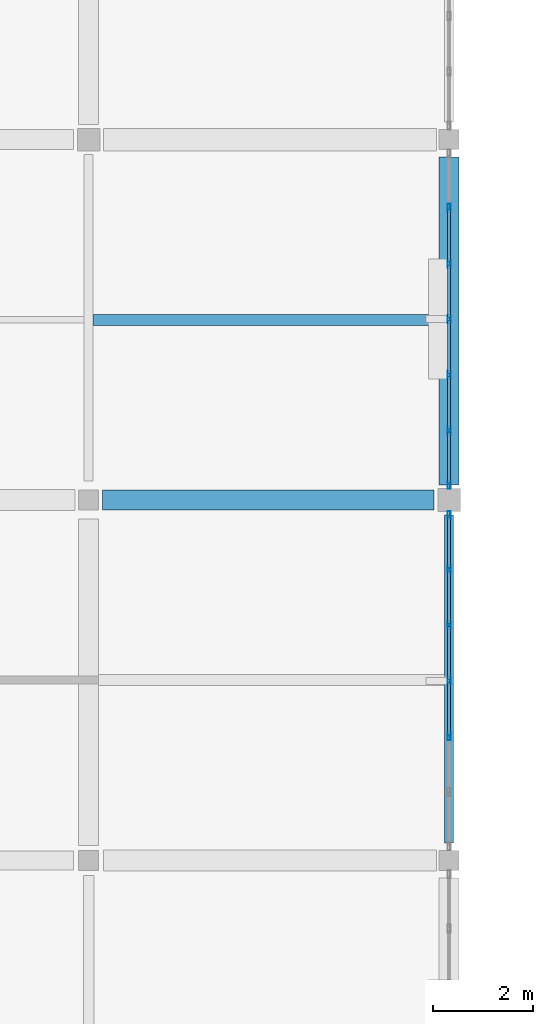
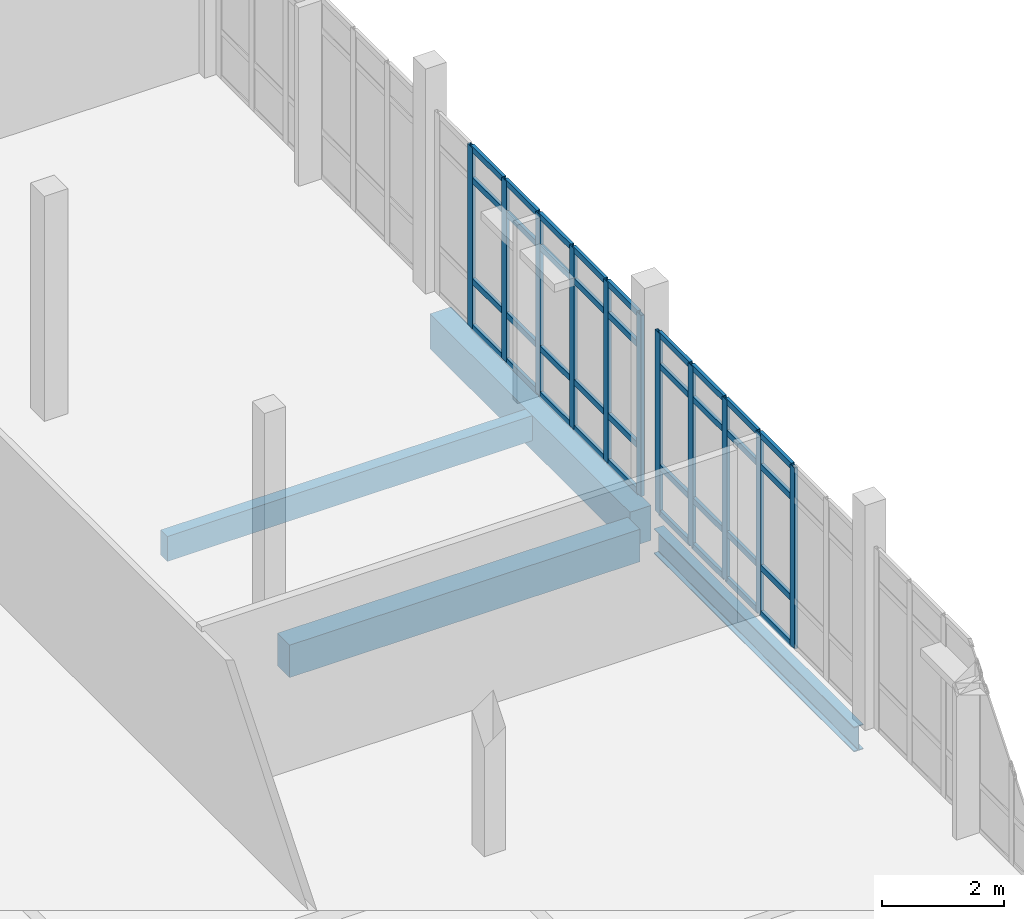
# One storey, part 11 of 62: 47 members, 4 beams, 2 elements without a shape of their own.
"""IFC4 building model written with IfcOpenShell, lengths in metres."""

from ifc_helpers import new_model, si_unit, direction, frame, origin, origin_2d, place, context, subcontext, project, spatial, rectangle, hollow_rectangle, i_section, extrude, material, material_profile, profile_set, type_object, element, aggregate, save


model = new_model("IFC4")

# Units and contexts
model_context = context("Model", 3, precision=1e-05, world=origin(), true_north=direction((0.0, 1.0)))
body_context = subcontext(model_context, "Body", "Model", "MODEL_VIEW")
ifc_project = project(units=[si_unit("LENGTHUNIT", "METRE"), si_unit("AREAUNIT", "SQUARE_METRE"), si_unit("VOLUMEUNIT", "CUBIC_METRE"), si_unit("PLANEANGLEUNIT", "RADIAN"), si_unit("MASSUNIT", "GRAM", prefix="KILO")], contexts=[model_context])

# Site, building, storey
site_placement = place(None, origin())
site = spatial("IfcSite", under=ifc_project, at=site_placement, CompositionType="ELEMENT")
building_placement = place(site_placement, origin())
building = spatial("IfcBuilding", under=site, at=building_placement, Name="Kalluvel Institute of Natural Sciences", CompositionType="ELEMENT")
storey_placement = place(building_placement, frame((0.0, 0.0, 27.89990234375)))
storey = spatial("IfcBuildingStorey", under=building, at=storey_placement, Name="L06", CompositionType="ELEMENT", Elevation=27.89990234375)

# Beams
ifc_material_1 = material(Name="Steel E350 Grade 350", Category="steel")
ifc_material_profile_1 = material_profile(ifc_material_1, i_section(OverallWidth=0.179931640625, OverallDepth=0.5, WebThickness=0.01025390625, FlangeThickness=0.01708984375, FilletRadius=0.01708984375, at=origin_2d()), Name="ISMB 500")
ifc_profile_set_1 = profile_set([ifc_material_profile_1], Name="Steel E350 Grade 350")
beam_type_1 = type_object("IfcBeamType", Name="BM-ISMB500", PredefinedType="BEAM", material=ifc_profile_set_1)
beam_1_placement = place(storey_placement, frame((35.60009765625, 43.14990234375, -0.5498046875), z_axis=(0.0, 1.0, 0.0), x_axis=(-1.0, 0.0, 0.0)))
element("IfcBeam", 1, at=beam_1_placement, inside=storey, type_object=beam_type_1, Name="L06 girder GIR-L06-NS-X356-Y428", PredefinedType="BEAM", context=body_context, shape_type="SweptSolid", body=[
    extrude(i_section(OverallWidth=0.179931640625, OverallDepth=0.5, WebThickness=0.01025390625, FlangeThickness=0.01708984375, FilletRadius=0.01708984375, at=origin_2d()), origin(), (0.0, 0.0, 1.0), 6.550048828125),
])
ifc_material_2 = material(Name="Concrete M40", Category="concrete")
ifc_material_profile_2 = material_profile(ifc_material_2, rectangle(XDim=0.39990234375, YDim=0.64990234375, at=origin_2d()), Name="RCB 400x650")
ifc_profile_set_2 = profile_set([ifc_material_profile_2], Name="Concrete M40")
beam_type_2 = type_object("IfcBeamType", Name="BM-RC400x650", PredefinedType="BEAM", material=ifc_profile_set_2)
beam_2_placement = place(storey_placement, frame((28.675048828125, 50.0, -0.625), z_axis=(1.0, 0.0, 0.0), x_axis=(0.0, 1.0, 0.0)))
element("IfcBeam", 2, at=beam_2_placement, inside=storey, type_object=beam_type_2, Name="L06 girder GIR-L06-EW-X284-Y500", PredefinedType="BEAM", context=body_context, shape_type="SweptSolid", body=[
    extrude(rectangle(XDim=0.39990234375, YDim=0.64990234375, at=origin_2d()), origin(), (0.0, 0.0, 1.0), 6.625),
])
ifc_material_profile_3 = material_profile(ifc_material_2, rectangle(XDim=0.39990234375, YDim=0.699951171875, at=origin_2d()), Name="RCB 400x700")
ifc_profile_set_3 = profile_set([ifc_material_profile_3], Name="Concrete M40")
beam_type_3 = type_object("IfcBeamType", Name="BM-RC400x700", PredefinedType="BEAM", material=ifc_profile_set_3)
beam_3_placement = place(storey_placement, frame((35.60009765625, 50.300048828125, -0.64990234375), z_axis=(0.0, 1.0, 0.0), x_axis=(-1.0, 0.0, 0.0)))
element("IfcBeam", 3, at=beam_3_placement, inside=storey, type_object=beam_type_3, Name="L06 girder GIR-L06-NS-X356-Y500", PredefinedType="BEAM", context=body_context, shape_type="SweptSolid", body=[
    extrude(rectangle(XDim=0.39990234375, YDim=0.699951171875, at=origin_2d()), origin(), (0.0, 0.0, 1.0), 6.550048828125),
])

# Curtain wall, members
ifc_material_3 = material(Name="Aluminium AW-6063 T6", Category="aluminium")
curtain_wall_type = type_object("IfcCurtainWallType", Name="CW-DRY-45", PredefinedType="USERDEFINED", material=ifc_material_3)
curtain_wall_1_placement = place(storey_placement, origin())
curtain_wall_1 = element("IfcCurtainWall", 4, at=curtain_wall_1_placement, inside=storey, type_object=curtain_wall_type, Name="L06 Gothic lancet curtain wall CWA-L06-X356-Y430", ObjectType="UNITISED LANCET FACADE", PredefinedType="USERDEFINED")
ifc_material_profile_4 = material_profile(ifc_material_3, hollow_rectangle(XDim=0.06005859375, YDim=0.159912109375, WallThickness=0.00390625, at=origin_2d()), Name="CWM 60x160")
ifc_profile_set_4 = profile_set([ifc_material_profile_4], Name="Aluminium AW-6063 T6")
member_type_1 = type_object("IfcMemberType", Name="CWM-60x160", PredefinedType="MULLION", material=ifc_profile_set_4)
member_1_placement = place(storey_placement, frame((35.60009765625, 45.27490234375, 0.0), z_axis=(0.0, 0.0, 1.0), x_axis=(-1.0, 0.0, 0.0)))
member_1 = element("IfcMember", 5, at=member_1_placement, type_object=member_type_1, Name="CW-03 mullion 3", PredefinedType="MULLION", context=body_context, shape_type="SweptSolid", body=[
    extrude(hollow_rectangle(XDim=0.06005859375, YDim=0.159912109375, WallThickness=0.00390625, at=origin_2d()), origin(), (0.0, 0.0, 1.0), 3.6201171875),
])
member_2_placement = place(storey_placement, frame((35.60009765625, 46.387451171875, 0.0), z_axis=(0.0, 0.0, 1.0), x_axis=(-1.0, 0.0, 0.0)))
member_2 = element("IfcMember", 6, at=member_2_placement, type_object=member_type_1, Name="CW-03 mullion 4", PredefinedType="MULLION", context=body_context, shape_type="SweptSolid", body=[
    extrude(hollow_rectangle(XDim=0.06005859375, YDim=0.159912109375, WallThickness=0.00390625, at=origin_2d()), origin(), (0.0, 0.0, 1.0), 3.6201171875),
])
member_3_placement = place(storey_placement, frame((35.60009765625, 47.5, 0.0), z_axis=(0.0, 0.0, 1.0), x_axis=(-1.0, 0.0, 0.0)))
member_3 = element("IfcMember", 7, at=member_3_placement, type_object=member_type_1, Name="CW-03 mullion 5", PredefinedType="MULLION", context=body_context, shape_type="SweptSolid", body=[
    extrude(hollow_rectangle(XDim=0.06005859375, YDim=0.159912109375, WallThickness=0.00390625, at=origin_2d()), origin(), (0.0, 0.0, 1.0), 3.6201171875),
])
member_4_placement = place(storey_placement, frame((35.60009765625, 48.612548828125, 0.0), z_axis=(0.0, 0.0, 1.0), x_axis=(-1.0, 0.0, 0.0)))
member_4 = element("IfcMember", 8, at=member_4_placement, type_object=member_type_1, Name="CW-03 mullion 6", PredefinedType="MULLION", context=body_context, shape_type="SweptSolid", body=[
    extrude(hollow_rectangle(XDim=0.06005859375, YDim=0.159912109375, WallThickness=0.00390625, at=origin_2d()), origin(), (0.0, 0.0, 1.0), 3.6201171875),
])
member_5_placement = place(storey_placement, frame((35.60009765625, 49.695068359375, 0.0), z_axis=(0.0, 0.0, 1.0), x_axis=(-1.0, 0.0, 0.0)))
member_5 = element("IfcMember", 9, at=member_5_placement, type_object=member_type_1, Name="CW-03 mullion 7", PredefinedType="MULLION", context=body_context, shape_type="SweptSolid", body=[
    extrude(hollow_rectangle(XDim=0.06005859375, YDim=0.159912109375, WallThickness=0.00390625, at=origin_2d()), origin(), (0.0, 0.0, 1.0), 3.6201171875),
])

curtain_wall_2_placement = place(storey_placement, origin())
curtain_wall_2 = element("IfcCurtainWall", 10, at=curtain_wall_2_placement, inside=storey, type_object=curtain_wall_type, Name="L06 Gothic lancet curtain wall CWA-L06-X356-Y503", ObjectType="UNITISED LANCET FACADE", PredefinedType="USERDEFINED")
member_6_placement = place(storey_placement, frame((35.60009765625, 50.304931640625, 0.0), z_axis=(0.0, 0.0, 1.0), x_axis=(-1.0, 0.0, 0.0)))
member_6 = element("IfcMember", 11, at=member_6_placement, type_object=member_type_1, Name="CW-03 mullion 1", PredefinedType="MULLION", context=body_context, shape_type="SweptSolid", body=[
    extrude(hollow_rectangle(XDim=0.06005859375, YDim=0.159912109375, WallThickness=0.00390625, at=origin_2d()), origin(), (0.0, 0.0, 1.0), 3.6201171875),
])
member_7_placement = place(storey_placement, frame((35.60009765625, 51.387451171875, 0.0), z_axis=(0.0, 0.0, 1.0), x_axis=(-1.0, 0.0, 0.0)))
member_7 = element("IfcMember", 12, at=member_7_placement, type_object=member_type_1, Name="CW-03 mullion 2", PredefinedType="MULLION", context=body_context, shape_type="SweptSolid", body=[
    extrude(hollow_rectangle(XDim=0.06005859375, YDim=0.159912109375, WallThickness=0.00390625, at=origin_2d()), origin(), (0.0, 0.0, 1.0), 3.6201171875),
])
member_8_placement = place(storey_placement, frame((35.60009765625, 52.5, 0.0), z_axis=(0.0, 0.0, 1.0), x_axis=(-1.0, 0.0, 0.0)))
member_8 = element("IfcMember", 13, at=member_8_placement, type_object=member_type_1, Name="CW-03 mullion 3", PredefinedType="MULLION", context=body_context, shape_type="SweptSolid", body=[
    extrude(hollow_rectangle(XDim=0.06005859375, YDim=0.159912109375, WallThickness=0.00390625, at=origin_2d()), origin(), (0.0, 0.0, 1.0), 3.6201171875),
])
member_9_placement = place(storey_placement, frame((35.60009765625, 53.612548828125, 0.0), z_axis=(0.0, 0.0, 1.0), x_axis=(-1.0, 0.0, 0.0)))
member_9 = element("IfcMember", 14, at=member_9_placement, type_object=member_type_1, Name="CW-03 mullion 4", PredefinedType="MULLION", context=body_context, shape_type="SweptSolid", body=[
    extrude(hollow_rectangle(XDim=0.06005859375, YDim=0.159912109375, WallThickness=0.00390625, at=origin_2d()), origin(), (0.0, 0.0, 1.0), 3.6201171875),
])
member_10_placement = place(storey_placement, frame((35.60009765625, 54.72509765625, 0.0), z_axis=(0.0, 0.0, 1.0), x_axis=(-1.0, 0.0, 0.0)))
member_10 = element("IfcMember", 15, at=member_10_placement, type_object=member_type_1, Name="CW-03 mullion 5", PredefinedType="MULLION", context=body_context, shape_type="SweptSolid", body=[
    extrude(hollow_rectangle(XDim=0.06005859375, YDim=0.159912109375, WallThickness=0.00390625, at=origin_2d()), origin(), (0.0, 0.0, 1.0), 3.6201171875),
])
member_11_placement = place(storey_placement, frame((35.60009765625, 55.83740234375, 0.0), z_axis=(0.0, 0.0, 1.0), x_axis=(-1.0, 0.0, 0.0)))
member_11 = element("IfcMember", 16, at=member_11_placement, type_object=member_type_1, Name="CW-03 mullion 6", PredefinedType="MULLION", context=body_context, shape_type="SweptSolid", body=[
    extrude(hollow_rectangle(XDim=0.06005859375, YDim=0.159912109375, WallThickness=0.00390625, at=origin_2d()), origin(), (0.0, 0.0, 1.0), 3.6201171875),
])

# Member
ifc_material_profile_5 = material_profile(ifc_material_3, hollow_rectangle(XDim=0.06005859375, YDim=0.1201171875, WallThickness=0.00390625, at=origin_2d()), Name="CWT 60x120")
ifc_profile_set_5 = profile_set([ifc_material_profile_5], Name="Aluminium AW-6063 T6")
member_type_2 = type_object("IfcMemberType", Name="CWT-60x120", PredefinedType="USERDEFINED", material=ifc_profile_set_5)
member_12_placement = place(storey_placement, frame((35.60009765625, 45.304931640625, 0.030029296875), z_axis=(0.0, 1.0, 0.0), x_axis=(-1.0, 0.0, 0.0)))
member_12 = element("IfcMember", 17, at=member_12_placement, type_object=member_type_2, Name="CW-03 transom 3.1", ObjectType="TRANSOM", PredefinedType="USERDEFINED", context=body_context, shape_type="SweptSolid", body=[
    extrude(hollow_rectangle(XDim=0.06005859375, YDim=0.1201171875, WallThickness=0.00390625, at=origin_2d()), origin(), (0.0, 0.0, 1.0), 1.052490234375),
])

member_13_placement = place(storey_placement, frame((35.60009765625, 45.304931640625, 0.9501953125), z_axis=(0.0, 1.0, 0.0), x_axis=(-1.0, 0.0, 0.0)))
member_13 = element("IfcMember", 18, at=member_13_placement, type_object=member_type_2, Name="CW-03 transom 3.2", ObjectType="TRANSOM", PredefinedType="USERDEFINED", context=body_context, shape_type="SweptSolid", body=[
    extrude(hollow_rectangle(XDim=0.06005859375, YDim=0.1201171875, WallThickness=0.00390625, at=origin_2d()), origin(), (0.0, 0.0, 1.0), 1.052490234375),
])

member_14_placement = place(storey_placement, frame((35.60009765625, 45.304931640625, 2.97021484375), z_axis=(0.0, 1.0, 0.0), x_axis=(-1.0, 0.0, 0.0)))
member_14 = element("IfcMember", 19, at=member_14_placement, type_object=member_type_2, Name="CW-03 transom 3.3", ObjectType="TRANSOM", PredefinedType="USERDEFINED", context=body_context, shape_type="SweptSolid", body=[
    extrude(hollow_rectangle(XDim=0.06005859375, YDim=0.1201171875, WallThickness=0.00390625, at=origin_2d()), origin(), (0.0, 0.0, 1.0), 1.052490234375),
])

member_15_placement = place(storey_placement, frame((35.60009765625, 45.304931640625, 3.590087890625), z_axis=(0.0, 1.0, 0.0), x_axis=(-1.0, 0.0, 0.0)))
member_15 = element("IfcMember", 20, at=member_15_placement, type_object=member_type_2, Name="CW-03 transom 3.4", ObjectType="TRANSOM", PredefinedType="USERDEFINED", context=body_context, shape_type="SweptSolid", body=[
    extrude(hollow_rectangle(XDim=0.06005859375, YDim=0.1201171875, WallThickness=0.00390625, at=origin_2d()), origin(), (0.0, 0.0, 1.0), 1.052490234375),
])

member_16_placement = place(storey_placement, frame((35.60009765625, 46.41748046875, 0.030029296875), z_axis=(0.0, 1.0, 0.0), x_axis=(-1.0, 0.0, 0.0)))
member_16 = element("IfcMember", 21, at=member_16_placement, type_object=member_type_2, Name="CW-03 transom 4.1", ObjectType="TRANSOM", PredefinedType="USERDEFINED", context=body_context, shape_type="SweptSolid", body=[
    extrude(hollow_rectangle(XDim=0.06005859375, YDim=0.1201171875, WallThickness=0.00390625, at=origin_2d()), origin(), (0.0, 0.0, 1.0), 1.052490234375),
])

member_17_placement = place(storey_placement, frame((35.60009765625, 46.41748046875, 0.9501953125), z_axis=(0.0, 1.0, 0.0), x_axis=(-1.0, 0.0, 0.0)))
member_17 = element("IfcMember", 22, at=member_17_placement, type_object=member_type_2, Name="CW-03 transom 4.2", ObjectType="TRANSOM", PredefinedType="USERDEFINED", context=body_context, shape_type="SweptSolid", body=[
    extrude(hollow_rectangle(XDim=0.06005859375, YDim=0.1201171875, WallThickness=0.00390625, at=origin_2d()), origin(), (0.0, 0.0, 1.0), 1.052490234375),
])

member_18_placement = place(storey_placement, frame((35.60009765625, 46.41748046875, 2.97021484375), z_axis=(0.0, 1.0, 0.0), x_axis=(-1.0, 0.0, 0.0)))
member_18 = element("IfcMember", 23, at=member_18_placement, type_object=member_type_2, Name="CW-03 transom 4.3", ObjectType="TRANSOM", PredefinedType="USERDEFINED", context=body_context, shape_type="SweptSolid", body=[
    extrude(hollow_rectangle(XDim=0.06005859375, YDim=0.1201171875, WallThickness=0.00390625, at=origin_2d()), origin(), (0.0, 0.0, 1.0), 1.052490234375),
])

member_19_placement = place(storey_placement, frame((35.60009765625, 46.41748046875, 3.590087890625), z_axis=(0.0, 1.0, 0.0), x_axis=(-1.0, 0.0, 0.0)))
member_19 = element("IfcMember", 24, at=member_19_placement, type_object=member_type_2, Name="CW-03 transom 4.4", ObjectType="TRANSOM", PredefinedType="USERDEFINED", context=body_context, shape_type="SweptSolid", body=[
    extrude(hollow_rectangle(XDim=0.06005859375, YDim=0.1201171875, WallThickness=0.00390625, at=origin_2d()), origin(), (0.0, 0.0, 1.0), 1.052490234375),
])

member_20_placement = place(storey_placement, frame((35.60009765625, 47.530029296875, 0.030029296875), z_axis=(0.0, 1.0, 0.0), x_axis=(-1.0, 0.0, 0.0)))
member_20 = element("IfcMember", 25, at=member_20_placement, type_object=member_type_2, Name="CW-03 transom 5.1", ObjectType="TRANSOM", PredefinedType="USERDEFINED", context=body_context, shape_type="SweptSolid", body=[
    extrude(hollow_rectangle(XDim=0.06005859375, YDim=0.1201171875, WallThickness=0.00390625, at=origin_2d()), origin(), (0.0, 0.0, 1.0), 1.052490234375),
])

member_21_placement = place(storey_placement, frame((35.60009765625, 47.530029296875, 0.9501953125), z_axis=(0.0, 1.0, 0.0), x_axis=(-1.0, 0.0, 0.0)))
member_21 = element("IfcMember", 26, at=member_21_placement, type_object=member_type_2, Name="CW-03 transom 5.2", ObjectType="TRANSOM", PredefinedType="USERDEFINED", context=body_context, shape_type="SweptSolid", body=[
    extrude(hollow_rectangle(XDim=0.06005859375, YDim=0.1201171875, WallThickness=0.00390625, at=origin_2d()), origin(), (0.0, 0.0, 1.0), 1.052490234375),
])

member_22_placement = place(storey_placement, frame((35.60009765625, 47.530029296875, 2.97021484375), z_axis=(0.0, 1.0, 0.0), x_axis=(-1.0, 0.0, 0.0)))
member_22 = element("IfcMember", 27, at=member_22_placement, type_object=member_type_2, Name="CW-03 transom 5.3", ObjectType="TRANSOM", PredefinedType="USERDEFINED", context=body_context, shape_type="SweptSolid", body=[
    extrude(hollow_rectangle(XDim=0.06005859375, YDim=0.1201171875, WallThickness=0.00390625, at=origin_2d()), origin(), (0.0, 0.0, 1.0), 1.052490234375),
])

member_23_placement = place(storey_placement, frame((35.60009765625, 47.530029296875, 3.590087890625), z_axis=(0.0, 1.0, 0.0), x_axis=(-1.0, 0.0, 0.0)))
member_23 = element("IfcMember", 28, at=member_23_placement, type_object=member_type_2, Name="CW-03 transom 5.4", ObjectType="TRANSOM", PredefinedType="USERDEFINED", context=body_context, shape_type="SweptSolid", body=[
    extrude(hollow_rectangle(XDim=0.06005859375, YDim=0.1201171875, WallThickness=0.00390625, at=origin_2d()), origin(), (0.0, 0.0, 1.0), 1.052490234375),
])

member_24_placement = place(storey_placement, frame((35.60009765625, 48.642578125, 0.030029296875), z_axis=(0.0, 1.0, 0.0), x_axis=(-1.0, 0.0, 0.0)))
member_24 = element("IfcMember", 29, at=member_24_placement, type_object=member_type_2, Name="CW-03 transom 6.1", ObjectType="TRANSOM", PredefinedType="USERDEFINED", context=body_context, shape_type="SweptSolid", body=[
    extrude(hollow_rectangle(XDim=0.06005859375, YDim=0.1201171875, WallThickness=0.00390625, at=origin_2d()), origin(), (0.0, 0.0, 1.0), 1.0224609375),
])

member_25_placement = place(storey_placement, frame((35.60009765625, 48.642578125, 0.9501953125), z_axis=(0.0, 1.0, 0.0), x_axis=(-1.0, 0.0, 0.0)))
member_25 = element("IfcMember", 30, at=member_25_placement, type_object=member_type_2, Name="CW-03 transom 6.2", ObjectType="TRANSOM", PredefinedType="USERDEFINED", context=body_context, shape_type="SweptSolid", body=[
    extrude(hollow_rectangle(XDim=0.06005859375, YDim=0.1201171875, WallThickness=0.00390625, at=origin_2d()), origin(), (0.0, 0.0, 1.0), 1.0224609375),
])

member_26_placement = place(storey_placement, frame((35.60009765625, 48.642578125, 2.97021484375), z_axis=(0.0, 1.0, 0.0), x_axis=(-1.0, 0.0, 0.0)))
member_26 = element("IfcMember", 31, at=member_26_placement, type_object=member_type_2, Name="CW-03 transom 6.3", ObjectType="TRANSOM", PredefinedType="USERDEFINED", context=body_context, shape_type="SweptSolid", body=[
    extrude(hollow_rectangle(XDim=0.06005859375, YDim=0.1201171875, WallThickness=0.00390625, at=origin_2d()), origin(), (0.0, 0.0, 1.0), 1.0224609375),
])

member_27_placement = place(storey_placement, frame((35.60009765625, 48.642578125, 3.590087890625), z_axis=(0.0, 1.0, 0.0), x_axis=(-1.0, 0.0, 0.0)))
member_27 = element("IfcMember", 32, at=member_27_placement, type_object=member_type_2, Name="CW-03 transom 6.4", ObjectType="TRANSOM", PredefinedType="USERDEFINED", context=body_context, shape_type="SweptSolid", body=[
    extrude(hollow_rectangle(XDim=0.06005859375, YDim=0.1201171875, WallThickness=0.00390625, at=origin_2d()), origin(), (0.0, 0.0, 1.0), 1.0224609375),
])

aggregate(curtain_wall_1, [member_1, member_2, member_3, member_4, member_5, member_12, member_13, member_14, member_15, member_16, member_17, member_18, member_19, member_20, member_21, member_22, member_23, member_24, member_25, member_26, member_27])

member_28_placement = place(storey_placement, frame((35.60009765625, 50.3349609375, 0.030029296875), z_axis=(0.0, 1.0, 0.0), x_axis=(-1.0, 0.0, 0.0)))
member_28 = element("IfcMember", 33, at=member_28_placement, type_object=member_type_2, Name="CW-03 transom 1.1", ObjectType="TRANSOM", PredefinedType="USERDEFINED", context=body_context, shape_type="SweptSolid", body=[
    extrude(hollow_rectangle(XDim=0.06005859375, YDim=0.1201171875, WallThickness=0.00390625, at=origin_2d()), origin(), (0.0, 0.0, 1.0), 1.0224609375),
])

member_29_placement = place(storey_placement, frame((35.60009765625, 50.3349609375, 0.9501953125), z_axis=(0.0, 1.0, 0.0), x_axis=(-1.0, 0.0, 0.0)))
member_29 = element("IfcMember", 34, at=member_29_placement, type_object=member_type_2, Name="CW-03 transom 1.2", ObjectType="TRANSOM", PredefinedType="USERDEFINED", context=body_context, shape_type="SweptSolid", body=[
    extrude(hollow_rectangle(XDim=0.06005859375, YDim=0.1201171875, WallThickness=0.00390625, at=origin_2d()), origin(), (0.0, 0.0, 1.0), 1.0224609375),
])

member_30_placement = place(storey_placement, frame((35.60009765625, 50.3349609375, 2.97021484375), z_axis=(0.0, 1.0, 0.0), x_axis=(-1.0, 0.0, 0.0)))
member_30 = element("IfcMember", 35, at=member_30_placement, type_object=member_type_2, Name="CW-03 transom 1.3", ObjectType="TRANSOM", PredefinedType="USERDEFINED", context=body_context, shape_type="SweptSolid", body=[
    extrude(hollow_rectangle(XDim=0.06005859375, YDim=0.1201171875, WallThickness=0.00390625, at=origin_2d()), origin(), (0.0, 0.0, 1.0), 1.0224609375),
])

member_31_placement = place(storey_placement, frame((35.60009765625, 50.3349609375, 3.590087890625), z_axis=(0.0, 1.0, 0.0), x_axis=(-1.0, 0.0, 0.0)))
member_31 = element("IfcMember", 36, at=member_31_placement, type_object=member_type_2, Name="CW-03 transom 1.4", ObjectType="TRANSOM", PredefinedType="USERDEFINED", context=body_context, shape_type="SweptSolid", body=[
    extrude(hollow_rectangle(XDim=0.06005859375, YDim=0.1201171875, WallThickness=0.00390625, at=origin_2d()), origin(), (0.0, 0.0, 1.0), 1.0224609375),
])

member_32_placement = place(storey_placement, frame((35.60009765625, 51.41748046875, 0.030029296875), z_axis=(0.0, 1.0, 0.0), x_axis=(-1.0, 0.0, 0.0)))
member_32 = element("IfcMember", 37, at=member_32_placement, type_object=member_type_2, Name="CW-03 transom 2.1", ObjectType="TRANSOM", PredefinedType="USERDEFINED", context=body_context, shape_type="SweptSolid", body=[
    extrude(hollow_rectangle(XDim=0.06005859375, YDim=0.1201171875, WallThickness=0.00390625, at=origin_2d()), origin(), (0.0, 0.0, 1.0), 1.052490234375),
])

member_33_placement = place(storey_placement, frame((35.60009765625, 51.41748046875, 0.9501953125), z_axis=(0.0, 1.0, 0.0), x_axis=(-1.0, 0.0, 0.0)))
member_33 = element("IfcMember", 38, at=member_33_placement, type_object=member_type_2, Name="CW-03 transom 2.2", ObjectType="TRANSOM", PredefinedType="USERDEFINED", context=body_context, shape_type="SweptSolid", body=[
    extrude(hollow_rectangle(XDim=0.06005859375, YDim=0.1201171875, WallThickness=0.00390625, at=origin_2d()), origin(), (0.0, 0.0, 1.0), 1.052490234375),
])

member_34_placement = place(storey_placement, frame((35.60009765625, 51.41748046875, 2.97021484375), z_axis=(0.0, 1.0, 0.0), x_axis=(-1.0, 0.0, 0.0)))
member_34 = element("IfcMember", 39, at=member_34_placement, type_object=member_type_2, Name="CW-03 transom 2.3", ObjectType="TRANSOM", PredefinedType="USERDEFINED", context=body_context, shape_type="SweptSolid", body=[
    extrude(hollow_rectangle(XDim=0.06005859375, YDim=0.1201171875, WallThickness=0.00390625, at=origin_2d()), origin(), (0.0, 0.0, 1.0), 1.052490234375),
])

member_35_placement = place(storey_placement, frame((35.60009765625, 51.41748046875, 3.590087890625), z_axis=(0.0, 1.0, 0.0), x_axis=(-1.0, 0.0, 0.0)))
member_35 = element("IfcMember", 40, at=member_35_placement, type_object=member_type_2, Name="CW-03 transom 2.4", ObjectType="TRANSOM", PredefinedType="USERDEFINED", context=body_context, shape_type="SweptSolid", body=[
    extrude(hollow_rectangle(XDim=0.06005859375, YDim=0.1201171875, WallThickness=0.00390625, at=origin_2d()), origin(), (0.0, 0.0, 1.0), 1.052490234375),
])

member_36_placement = place(storey_placement, frame((35.60009765625, 52.530029296875, 0.030029296875), z_axis=(0.0, 1.0, 0.0), x_axis=(-1.0, 0.0, 0.0)))
member_36 = element("IfcMember", 41, at=member_36_placement, type_object=member_type_2, Name="CW-03 transom 3.1", ObjectType="TRANSOM", PredefinedType="USERDEFINED", context=body_context, shape_type="SweptSolid", body=[
    extrude(hollow_rectangle(XDim=0.06005859375, YDim=0.1201171875, WallThickness=0.00390625, at=origin_2d()), origin(), (0.0, 0.0, 1.0), 1.052490234375),
])

member_37_placement = place(storey_placement, frame((35.60009765625, 52.530029296875, 0.9501953125), z_axis=(0.0, 1.0, 0.0), x_axis=(-1.0, 0.0, 0.0)))
member_37 = element("IfcMember", 42, at=member_37_placement, type_object=member_type_2, Name="CW-03 transom 3.2", ObjectType="TRANSOM", PredefinedType="USERDEFINED", context=body_context, shape_type="SweptSolid", body=[
    extrude(hollow_rectangle(XDim=0.06005859375, YDim=0.1201171875, WallThickness=0.00390625, at=origin_2d()), origin(), (0.0, 0.0, 1.0), 1.052490234375),
])

member_38_placement = place(storey_placement, frame((35.60009765625, 52.530029296875, 2.97021484375), z_axis=(0.0, 1.0, 0.0), x_axis=(-1.0, 0.0, 0.0)))
member_38 = element("IfcMember", 43, at=member_38_placement, type_object=member_type_2, Name="CW-03 transom 3.3", ObjectType="TRANSOM", PredefinedType="USERDEFINED", context=body_context, shape_type="SweptSolid", body=[
    extrude(hollow_rectangle(XDim=0.06005859375, YDim=0.1201171875, WallThickness=0.00390625, at=origin_2d()), origin(), (0.0, 0.0, 1.0), 1.052490234375),
])

member_39_placement = place(storey_placement, frame((35.60009765625, 52.530029296875, 3.590087890625), z_axis=(0.0, 1.0, 0.0), x_axis=(-1.0, 0.0, 0.0)))
member_39 = element("IfcMember", 44, at=member_39_placement, type_object=member_type_2, Name="CW-03 transom 3.4", ObjectType="TRANSOM", PredefinedType="USERDEFINED", context=body_context, shape_type="SweptSolid", body=[
    extrude(hollow_rectangle(XDim=0.06005859375, YDim=0.1201171875, WallThickness=0.00390625, at=origin_2d()), origin(), (0.0, 0.0, 1.0), 1.052490234375),
])

member_40_placement = place(storey_placement, frame((35.60009765625, 53.642578125, 0.030029296875), z_axis=(0.0, 1.0, 0.0), x_axis=(-1.0, 0.0, 0.0)))
member_40 = element("IfcMember", 45, at=member_40_placement, type_object=member_type_2, Name="CW-03 transom 4.1", ObjectType="TRANSOM", PredefinedType="USERDEFINED", context=body_context, shape_type="SweptSolid", body=[
    extrude(hollow_rectangle(XDim=0.06005859375, YDim=0.1201171875, WallThickness=0.00390625, at=origin_2d()), origin(), (0.0, 0.0, 1.0), 1.052490234375),
])

member_41_placement = place(storey_placement, frame((35.60009765625, 53.642578125, 0.9501953125), z_axis=(0.0, 1.0, 0.0), x_axis=(-1.0, 0.0, 0.0)))
member_41 = element("IfcMember", 46, at=member_41_placement, type_object=member_type_2, Name="CW-03 transom 4.2", ObjectType="TRANSOM", PredefinedType="USERDEFINED", context=body_context, shape_type="SweptSolid", body=[
    extrude(hollow_rectangle(XDim=0.06005859375, YDim=0.1201171875, WallThickness=0.00390625, at=origin_2d()), origin(), (0.0, 0.0, 1.0), 1.052490234375),
])

member_42_placement = place(storey_placement, frame((35.60009765625, 53.642578125, 2.97021484375), z_axis=(0.0, 1.0, 0.0), x_axis=(-1.0, 0.0, 0.0)))
member_42 = element("IfcMember", 47, at=member_42_placement, type_object=member_type_2, Name="CW-03 transom 4.3", ObjectType="TRANSOM", PredefinedType="USERDEFINED", context=body_context, shape_type="SweptSolid", body=[
    extrude(hollow_rectangle(XDim=0.06005859375, YDim=0.1201171875, WallThickness=0.00390625, at=origin_2d()), origin(), (0.0, 0.0, 1.0), 1.052490234375),
])

member_43_placement = place(storey_placement, frame((35.60009765625, 53.642578125, 3.590087890625), z_axis=(0.0, 1.0, 0.0), x_axis=(-1.0, 0.0, 0.0)))
member_43 = element("IfcMember", 48, at=member_43_placement, type_object=member_type_2, Name="CW-03 transom 4.4", ObjectType="TRANSOM", PredefinedType="USERDEFINED", context=body_context, shape_type="SweptSolid", body=[
    extrude(hollow_rectangle(XDim=0.06005859375, YDim=0.1201171875, WallThickness=0.00390625, at=origin_2d()), origin(), (0.0, 0.0, 1.0), 1.052490234375),
])

member_44_placement = place(storey_placement, frame((35.60009765625, 54.7548828125, 0.030029296875), z_axis=(0.0, 1.0, 0.0), x_axis=(-1.0, 0.0, 0.0)))
member_44 = element("IfcMember", 49, at=member_44_placement, type_object=member_type_2, Name="CW-03 transom 5.1", ObjectType="TRANSOM", PredefinedType="USERDEFINED", context=body_context, shape_type="SweptSolid", body=[
    extrude(hollow_rectangle(XDim=0.06005859375, YDim=0.1201171875, WallThickness=0.00390625, at=origin_2d()), origin(), (0.0, 0.0, 1.0), 1.052734375),
])

member_45_placement = place(storey_placement, frame((35.60009765625, 54.7548828125, 0.9501953125), z_axis=(0.0, 1.0, 0.0), x_axis=(-1.0, 0.0, 0.0)))
member_45 = element("IfcMember", 50, at=member_45_placement, type_object=member_type_2, Name="CW-03 transom 5.2", ObjectType="TRANSOM", PredefinedType="USERDEFINED", context=body_context, shape_type="SweptSolid", body=[
    extrude(hollow_rectangle(XDim=0.06005859375, YDim=0.1201171875, WallThickness=0.00390625, at=origin_2d()), origin(), (0.0, 0.0, 1.0), 1.052734375),
])

member_46_placement = place(storey_placement, frame((35.60009765625, 54.7548828125, 2.97021484375), z_axis=(0.0, 1.0, 0.0), x_axis=(-1.0, 0.0, 0.0)))
member_46 = element("IfcMember", 51, at=member_46_placement, type_object=member_type_2, Name="CW-03 transom 5.3", ObjectType="TRANSOM", PredefinedType="USERDEFINED", context=body_context, shape_type="SweptSolid", body=[
    extrude(hollow_rectangle(XDim=0.06005859375, YDim=0.1201171875, WallThickness=0.00390625, at=origin_2d()), origin(), (0.0, 0.0, 1.0), 1.052734375),
])

member_47_placement = place(storey_placement, frame((35.60009765625, 54.7548828125, 3.590087890625), z_axis=(0.0, 1.0, 0.0), x_axis=(-1.0, 0.0, 0.0)))
member_47 = element("IfcMember", 52, at=member_47_placement, type_object=member_type_2, Name="CW-03 transom 5.4", ObjectType="TRANSOM", PredefinedType="USERDEFINED", context=body_context, shape_type="SweptSolid", body=[
    extrude(hollow_rectangle(XDim=0.06005859375, YDim=0.1201171875, WallThickness=0.00390625, at=origin_2d()), origin(), (0.0, 0.0, 1.0), 1.052734375),
])

aggregate(curtain_wall_2, [member_6, member_7, member_8, member_9, member_10, member_11, member_28, member_29, member_30, member_31, member_32, member_33, member_34, member_35, member_36, member_37, member_38, member_39, member_40, member_41, member_42, member_43, member_44, member_45, member_46, member_47])

# Beam
ifc_material_profile_6 = material_profile(ifc_material_2, rectangle(XDim=0.219970703125, YDim=0.5, at=origin_2d()), Name="WAF 220x500")
ifc_profile_set_6 = profile_set([ifc_material_profile_6], Name="Concrete M40")
beam_type_4 = type_object("IfcBeamType", Name="WJ-220x500", PredefinedType="JOIST", material=ifc_profile_set_6)
beam_4_placement = place(storey_placement, frame((28.489990234375, 53.60009765625, -0.5498046875), z_axis=(1.0, 0.0, 0.0), x_axis=(0.0, 1.0, 0.0)))
element("IfcBeam", 53, at=beam_4_placement, inside=storey, type_object=beam_type_4, Name="L06 floor rib RIB-L06-0763", PredefinedType="JOIST", context=body_context, shape_type="SweptSolid", body=[
    extrude(rectangle(XDim=0.219970703125, YDim=0.5, at=origin_2d()), origin(), (0.0, 0.0, 1.0), 6.909912109375),
])

save(model, "model.ifc")
